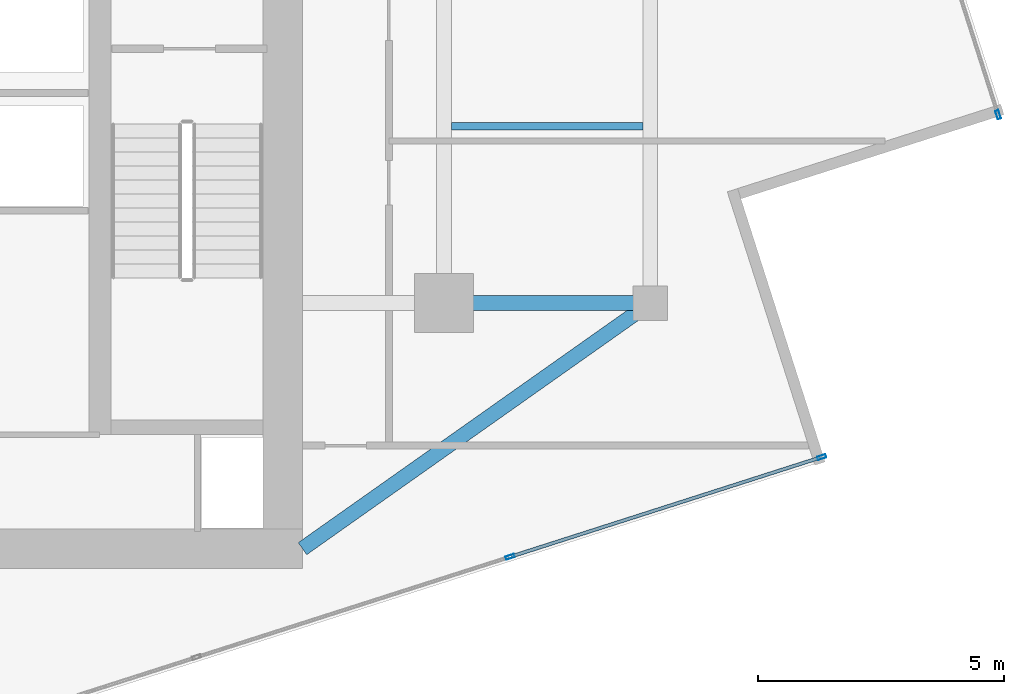
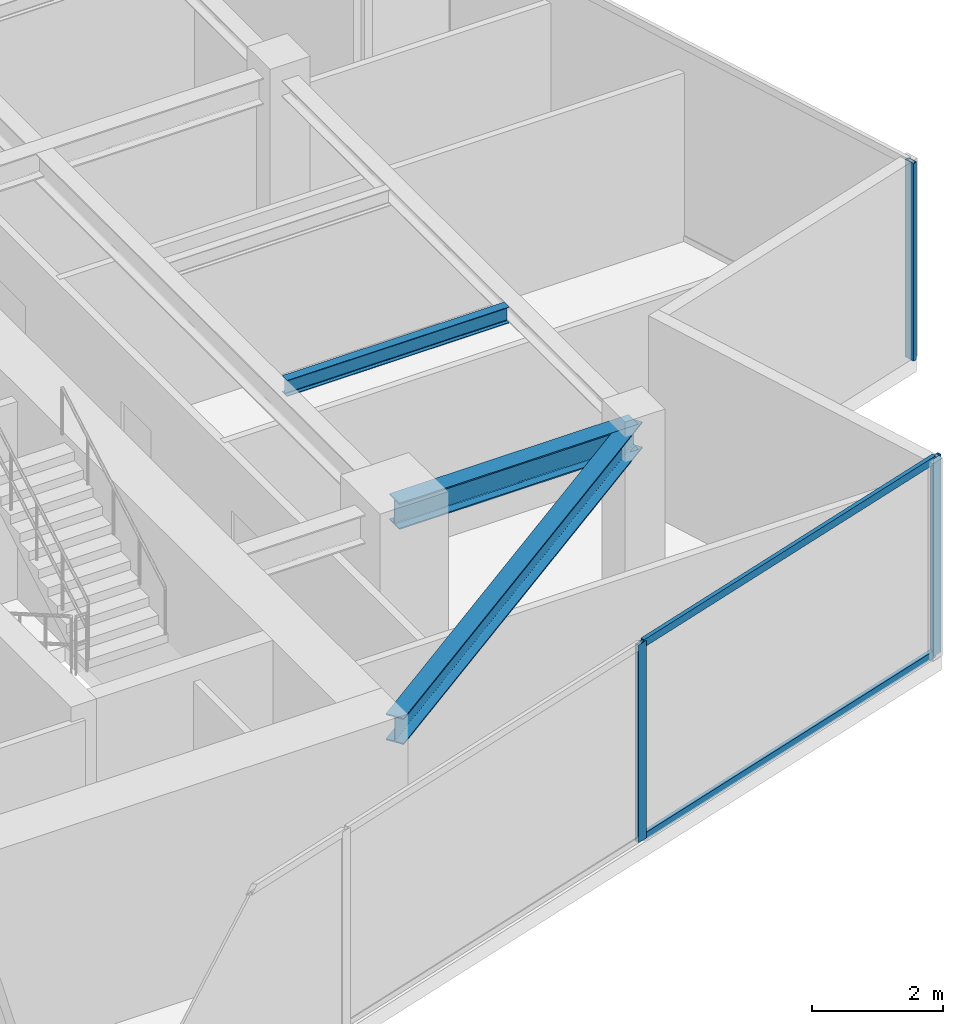
# One storey, part 9 of 21: 5 members, 3 beams, 2 elements without a shape of their own.
"""IFC4 building model written with IfcOpenShell, lengths in metres."""

from ifc_helpers import new_model, si_unit, direction, frame, origin, origin_2d, place, context, subcontext, project, spatial, hollow_rectangle, i_section, extrude, source, transform, mapped, material, material_profile, profile_set, type_object, type_shapes, element, aggregate, save


model = new_model("IFC4")

# Units and contexts
model_context = context("Model", 3, precision=1e-05, world=origin(), true_north=direction((0.0, 1.0)))
body_context = subcontext(model_context, "Body", "Model", "MODEL_VIEW")
ifc_project = project(units=[si_unit("LENGTHUNIT", "METRE"), si_unit("AREAUNIT", "SQUARE_METRE"), si_unit("VOLUMEUNIT", "CUBIC_METRE"), si_unit("PLANEANGLEUNIT", "RADIAN"), si_unit("MASSUNIT", "GRAM", prefix="KILO")], contexts=[model_context])

# Site, building, storey
site_placement = place(None, origin())
site = spatial("IfcSite", under=ifc_project, at=site_placement, CompositionType="ELEMENT")
building_placement = place(site_placement, origin())
building = spatial("IfcBuilding", under=site, at=building_placement, Name="Krantzveldt Concourse Tower", CompositionType="ELEMENT")
storey_placement = place(building_placement, frame((0.0, 0.0, 339.550048828125)))
storey = spatial("IfcBuildingStorey", under=building, at=storey_placement, Name="L83", CompositionType="ELEMENT", Elevation=339.550048828125)

# Beams
ifc_material_1 = material(Name="Steel S355JR", Category="steel")
ifc_material_profile_1 = material_profile(ifc_material_1, i_section(OverallWidth=0.300048828125, OverallDepth=0.489990234375, WebThickness=0.011962890625, FlangeThickness=0.02294921875, FilletRadius=0.027099609375, at=origin_2d()), Name="Steel S355JR", Category="steel")
ifc_profile_set_1 = profile_set([ifc_material_profile_1], Name="Steel S355JR - HEA 500")
beam_type_1 = type_object("IfcBeamType", Name="BM-B-HEA500", PredefinedType="BEAM", material=ifc_profile_set_1)
shared_shape_1 = source(origin(), body_context, "Body", "SweptSolid", [
    extrude(i_section(OverallWidth=0.300048828125, OverallDepth=0.489990234375, WebThickness=0.011962890625, FlangeThickness=0.02294921875, FilletRadius=0.027099609375, at=origin_2d()), origin(), (0.0, 0.0, 1.0), 4.199951171875),
])
beam_1_placement = place(storey_placement, frame((46.800048828125, 15.89990234375, 3.425048828125), z_axis=(1.0, 0.0, 0.0), x_axis=(0.0, 1.0, 0.0)))
element("IfcBeam", 1, at=beam_1_placement, inside=storey, type_object=beam_type_1, Name="L83 Tower Girder BR-RR1", PredefinedType="BEAM", context=body_context, shape_type="MappedRepresentation", body=[
    mapped(shared_shape_1, transform((0.0, 0.0, 0.0), x_axis=(1.0, 0.0, 0.0), y_axis=(0.0, 1.0, 0.0), z_axis=(0.0, 0.0, 1.0), scale=1.0)),
])
shared_shape_2 = source(origin(), body_context, "Body", "SweptSolid", [
    extrude(i_section(OverallWidth=0.300048828125, OverallDepth=0.489990234375, WebThickness=0.011962890625, FlangeThickness=0.02294921875, FilletRadius=0.027099609375, at=origin_2d()), origin(), (0.0, 0.0, 1.0), 8.667724609375),
])
type_shapes(beam_type_1, [shared_shape_1, shared_shape_2])
beam_2_placement = place(storey_placement, frame((51.0, 15.89990234375, 3.425048828125), z_axis=(-0.81684294656, -0.576860122261, 0.0), x_axis=(0.576860122261, -0.81684294656, 0.0)))
element("IfcBeam", 2, at=beam_2_placement, inside=storey, type_object=beam_type_1, Name="L83 Tower Girder BR-CSE", PredefinedType="BEAM", context=body_context, shape_type="MappedRepresentation", body=[
    mapped(shared_shape_2, transform((0.0, 0.0, 0.0), x_axis=(1.0, 0.0, 0.0), y_axis=(0.0, 1.0, 0.0), z_axis=(0.0, 0.0, 1.0), scale=1.0)),
])
ifc_material_profile_2 = material_profile(ifc_material_1, i_section(OverallWidth=0.14990234375, OverallDepth=0.300048828125, WebThickness=0.007080078125, FlangeThickness=0.0107421875, FilletRadius=0.014892578125, at=origin_2d()), Name="Steel S355JR", Category="steel")
ifc_profile_set_2 = profile_set([ifc_material_profile_2], Name="Steel S355JR - IPE 300")
beam_type_2 = type_object("IfcBeamType", Name="BM-J-IPE300", PredefinedType="JOIST", material=ifc_profile_set_2)
shared_shape_3 = source(origin(), body_context, "Body", "SweptSolid", [
    extrude(i_section(OverallWidth=0.14990234375, OverallDepth=0.300048828125, WebThickness=0.007080078125, FlangeThickness=0.0107421875, FilletRadius=0.014892578125, at=origin_2d()), origin(), (0.0, 0.0, 1.0), 3.900146484375),
])
type_shapes(beam_type_2, [shared_shape_3])
beam_3_placement = place(storey_placement, frame((46.949951171875, 19.5, 3.52001953125), z_axis=(1.0, 0.0, 0.0), x_axis=(0.0, 1.0, 0.0)))
element("IfcBeam", 3, at=beam_3_placement, inside=storey, type_object=beam_type_2, Name="L83 Secondary Floor Joist JE-1", PredefinedType="JOIST", context=body_context, shape_type="MappedRepresentation", body=[
    mapped(shared_shape_3, transform((0.0, 0.0, 0.0), x_axis=(1.0, 0.0, 0.0), y_axis=(0.0, 1.0, 0.0), z_axis=(0.0, 0.0, 1.0), scale=1.0)),
])

# Curtain wall, members
ifc_material_2 = material(Name="Anodised aluminium 6063-T6", Category="aluminium")
curtain_wall_type = type_object("IfcCurtainWallType", Name="CW4", PredefinedType="USERDEFINED", material=ifc_material_2)
curtain_wall_1_placement = place(storey_placement, origin())
curtain_wall_1 = element("IfcCurtainWall", 4, at=curtain_wall_1_placement, inside=storey, type_object=curtain_wall_type, Name="CW-L83-F07", ObjectType="UNITISED CURTAIN WALL", PredefinedType="USERDEFINED")
ifc_material_profile_3 = material_profile(ifc_material_2, hollow_rectangle(XDim=0.070068359375, YDim=0.179931640625, WallThickness=0.0048828125, at=origin_2d()), Name="Anodised aluminium 6063-T6", Category="aluminium")
ifc_profile_set_3 = profile_set([ifc_material_profile_3], Name="Anodised aluminium 6063-T6 - ALU-MULL 180x70x5")
member_type_1 = type_object("IfcMemberType", Name="CW-MUL-180", PredefinedType="MULLION", material=ifc_profile_set_3)
shared_shape_4 = source(origin(), body_context, "Body", "SweptSolid", [
    extrude(hollow_rectangle(XDim=0.070068359375, YDim=0.179931640625, WallThickness=0.0048828125, at=origin_2d()), origin(), (0.0, 0.0, 1.0), 3.669921875),
])
type_shapes(member_type_1, [shared_shape_4])
member_1_placement = place(storey_placement, frame((48.14599609375, 10.73291015625, 0.0), z_axis=(0.0, 0.0, 1.0), x_axis=(-0.304864162408, 0.952395843376, 0.0)))
member_1 = element("IfcMember", 5, at=member_1_placement, type_object=member_type_1, Name="CW-Z56 mullion 4", PredefinedType="MULLION", context=body_context, shape_type="MappedRepresentation", body=[
    mapped(shared_shape_4, transform((0.0, 0.0, 0.0), x_axis=(1.0, 0.0, 0.0), y_axis=(0.0, 1.0, 0.0), z_axis=(0.0, 0.0, 1.0), scale=1.0)),
])
member_2_placement = place(storey_placement, frame((54.49365234375, 12.7646484375, 0.0), z_axis=(0.0, 0.0, 1.0), x_axis=(-0.304864162408, 0.952395843376, 0.0)))
member_2 = element("IfcMember", 6, at=member_2_placement, type_object=member_type_1, Name="CW-Z56 mullion 5", PredefinedType="MULLION", context=body_context, shape_type="MappedRepresentation", body=[
    mapped(shared_shape_4, transform((0.0, 0.0, 0.0), x_axis=(1.0, 0.0, 0.0), y_axis=(0.0, 1.0, 0.0), z_axis=(0.0, 0.0, 1.0), scale=1.0)),
])

# Curtain wall, member
curtain_wall_2_placement = place(storey_placement, origin())
curtain_wall_2 = element("IfcCurtainWall", 7, at=curtain_wall_2_placement, inside=storey, type_object=curtain_wall_type, Name="CW-L83-F10", ObjectType="UNITISED CURTAIN WALL", PredefinedType="USERDEFINED")
member_3_placement = place(storey_placement, frame((58.084228515625, 19.736328125, 0.0), z_axis=(0.0, 0.0, 1.0), x_axis=(-0.952395720224, -0.304864547135, 0.0)))
member_3 = element("IfcMember", 8, at=member_3_placement, type_object=member_type_1, Name="CW-Z56 mullion 1", PredefinedType="MULLION", context=body_context, shape_type="MappedRepresentation", body=[
    mapped(shared_shape_4, transform((0.0, 0.0, 0.0), x_axis=(1.0, 0.0, 0.0), y_axis=(0.0, 1.0, 0.0), z_axis=(0.0, 0.0, 1.0), scale=1.0)),
])
aggregate(curtain_wall_2, [member_3])

# Member
ifc_material_profile_4 = material_profile(ifc_material_2, hollow_rectangle(XDim=0.070068359375, YDim=0.139892578125, WallThickness=0.0048828125, at=origin_2d()), Name="Anodised aluminium 6063-T6", Category="aluminium")
ifc_profile_set_4 = profile_set([ifc_material_profile_4], Name="Anodised aluminium 6063-T6 - ALU-TRAN 140x70x5")
member_type_2 = type_object("IfcMemberType", Name="CW-TRN-150", PredefinedType="USERDEFINED", material=ifc_profile_set_4)
shared_shape_5 = source(origin(), body_context, "Body", "SweptSolid", [
    extrude(hollow_rectangle(XDim=0.070068359375, YDim=0.139892578125, WallThickness=0.0048828125, at=origin_2d()), origin(), (0.0, 0.0, 1.0), 6.594970703125),
])
type_shapes(member_type_2, [shared_shape_5])
member_4_placement = place(storey_placement, frame((48.179443359375, 10.743408203125, 0.034912109375), z_axis=(0.952388034894, 0.304888555035, 0.0), x_axis=(-0.304888555035, 0.952388034894, 0.0)))
member_4 = element("IfcMember", 9, at=member_4_placement, type_object=member_type_2, Name="CW-Z56 transom 4.1", ObjectType="TRANSOM", PredefinedType="USERDEFINED", context=body_context, shape_type="MappedRepresentation", body=[
    mapped(shared_shape_5, transform((0.0, 0.0, 0.0), x_axis=(1.0, 0.0, 0.0), y_axis=(0.0, 1.0, 0.0), z_axis=(0.0, 0.0, 1.0), scale=1.0)),
])

member_5_placement = place(storey_placement, frame((48.179443359375, 10.743408203125, 3.635009765625), z_axis=(0.952388034894, 0.304888555035, 0.0), x_axis=(-0.304888555035, 0.952388034894, 0.0)))
member_5 = element("IfcMember", 10, at=member_5_placement, type_object=member_type_2, Name="CW-Z56 transom 4.2", ObjectType="TRANSOM", PredefinedType="USERDEFINED", context=body_context, shape_type="MappedRepresentation", body=[
    mapped(shared_shape_5, transform((0.0, 0.0, 0.0), x_axis=(1.0, 0.0, 0.0), y_axis=(0.0, 1.0, 0.0), z_axis=(0.0, 0.0, 1.0), scale=1.0)),
])

aggregate(curtain_wall_1, [member_1, member_2, member_4, member_5])

save(model, "model.ifc")
